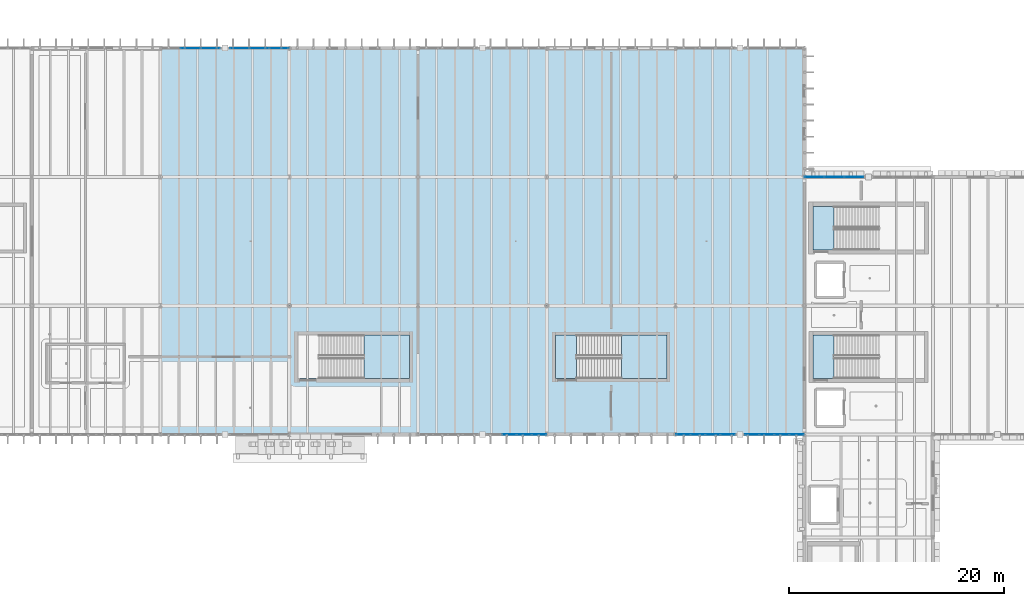
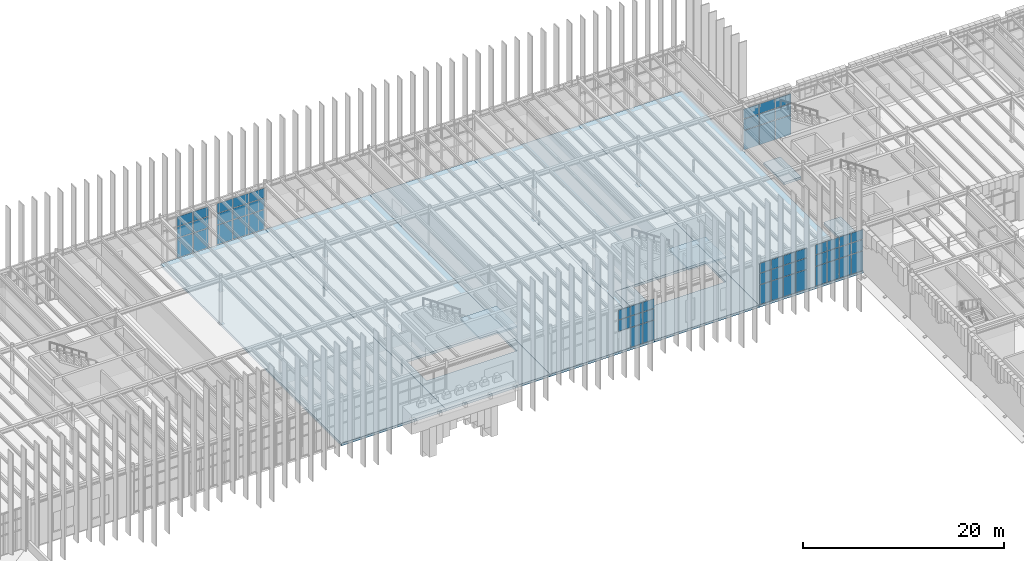
# One storey, part 40 of 83: 56 plates, 10 slabs, 8 elements without a shape of their own.
"""IFC4 building model written with IfcOpenShell, lengths in metres."""

from ifc_helpers import new_model, si_unit, direction, frame, origin, origin_2d, place, context, subcontext, project, spatial, polyline, rectangle, outline, extrude, material, layer, layer_set, type_object, element, aggregate, save


model = new_model("IFC4")

# Units and contexts
model_context = context("Model", 3, precision=1e-05, world=origin(), true_north=direction((0.0, 1.0)))
body_context = subcontext(model_context, "Body", "Model", "MODEL_VIEW")
ifc_project = project(units=[si_unit("LENGTHUNIT", "METRE"), si_unit("AREAUNIT", "SQUARE_METRE"), si_unit("VOLUMEUNIT", "CUBIC_METRE"), si_unit("PLANEANGLEUNIT", "RADIAN"), si_unit("MASSUNIT", "GRAM", prefix="KILO")], contexts=[model_context])

# Site, building, storey
site_placement = place(None, origin())
site = spatial("IfcSite", under=ifc_project, at=site_placement, CompositionType="ELEMENT")
building_placement = place(site_placement, origin())
building = spatial("IfcBuilding", under=site, at=building_placement, Name="Zlatogorsky Bluff Art Gallery", CompositionType="ELEMENT")
storey_placement = place(building_placement, frame((0.0, 0.0, 10.800048828125)))
storey = spatial("IfcBuildingStorey", under=building, at=storey_placement, Name="L02", CompositionType="ELEMENT", Elevation=10.800048828125)

# Curtain wall, plates
ifc_material_1 = material(Name="Anodised Bronze Aluminium and Low-Iron Triple Glazing", Category="aluminium")
ifc_layer_1 = layer(ifc_material_1, 0.219970703125)
ifc_layer_set_1 = layer_set([ifc_layer_1], Name="Curtain Wall CW-04")
curtain_wall_type_1 = type_object("IfcCurtainWallType", Name="Curtain Wall CW-04", PredefinedType="USERDEFINED", material=ifc_layer_set_1)
curtain_wall_1_placement = place(storey_placement, origin())
curtain_wall_1 = element("IfcCurtainWall", 1, at=curtain_wall_1_placement, inside=storey, type_object=curtain_wall_type_1, Name="Unitised curtain wall CW-04 L02 N 5.10-A", ObjectType="CURTAIN WALL", PredefinedType="USERDEFINED")
ifc_material_2 = material(Name="Low-Iron Laminated Triple Glazing", Category="glass")
ifc_layer_2 = layer(ifc_material_2, 0.035888671875)
ifc_layer_set_2 = layer_set([ifc_layer_2], Name="Glazed Curtain Panel CWP-01")
plate_type = type_object("IfcPlateType", Name="Glazed Curtain Panel CWP-01", PredefinedType="CURTAIN_PANEL", material=ifc_layer_set_2)
plate_1_placement = place(storey_placement, frame((71.0537109375, 120.0, 0.06494140625), z_axis=(0.0, 0.0, 1.0), x_axis=(-1.0, 0.0, 0.0)))
plate_1 = element("IfcPlate", 2, at=plate_1_placement, type_object=plate_type, Name="CW-04 panel 1.1", PredefinedType="CURTAIN_PANEL", context=body_context, shape_type="SweptSolid", body=[
    extrude(rectangle(XDim=1.762451171875, YDim=0.035888671875, at=origin_2d()), origin(), (0.0, 0.0, 1.0), 2.3525390625),
])
plate_2_placement = place(storey_placement, frame((71.0537109375, 120.0, 2.482421875), z_axis=(0.0, 0.0, 1.0), x_axis=(-1.0, 0.0, 0.0)))
plate_2 = element("IfcPlate", 3, at=plate_2_placement, type_object=plate_type, Name="CW-04 panel 1.2", PredefinedType="CURTAIN_PANEL", context=body_context, shape_type="SweptSolid", body=[
    extrude(rectangle(XDim=1.762451171875, YDim=0.035888671875, at=origin_2d()), origin(), (0.0, 0.0, 1.0), 1.3349609375),
])
plate_3_placement = place(storey_placement, frame((71.0537109375, 120.0, 3.88232421875), z_axis=(0.0, 0.0, 1.0), x_axis=(-1.0, 0.0, 0.0)))
plate_3 = element("IfcPlate", 4, at=plate_3_placement, type_object=plate_type, Name="CW-04 panel 1.3", PredefinedType="CURTAIN_PANEL", context=body_context, shape_type="SweptSolid", body=[
    extrude(rectangle(XDim=1.762451171875, YDim=0.035888671875, at=origin_2d()), origin(), (0.0, 0.0, 1.0), 1.16259765625),
])
plate_4_placement = place(storey_placement, frame((69.2099609375, 120.0, 0.06494140625), z_axis=(0.0, 0.0, 1.0), x_axis=(-1.0, 0.0, 0.0)))
plate_4 = element("IfcPlate", 5, at=plate_4_placement, type_object=plate_type, Name="CW-04 panel 2.1", PredefinedType="CURTAIN_PANEL", context=body_context, shape_type="SweptSolid", body=[
    extrude(rectangle(XDim=1.794921875, YDim=0.035888671875, at=origin_2d()), origin(), (0.0, 0.0, 1.0), 2.3525390625),
])
plate_5_placement = place(storey_placement, frame((69.2099609375, 120.0, 2.482421875), z_axis=(0.0, 0.0, 1.0), x_axis=(-1.0, 0.0, 0.0)))
plate_5 = element("IfcPlate", 6, at=plate_5_placement, type_object=plate_type, Name="CW-04 panel 2.2", PredefinedType="CURTAIN_PANEL", context=body_context, shape_type="SweptSolid", body=[
    extrude(rectangle(XDim=1.794921875, YDim=0.035888671875, at=origin_2d()), origin(), (0.0, 0.0, 1.0), 1.3349609375),
])
plate_6_placement = place(storey_placement, frame((69.2099609375, 120.0, 3.88232421875), z_axis=(0.0, 0.0, 1.0), x_axis=(-1.0, 0.0, 0.0)))
plate_6 = element("IfcPlate", 7, at=plate_6_placement, type_object=plate_type, Name="CW-04 panel 2.3", PredefinedType="CURTAIN_PANEL", context=body_context, shape_type="SweptSolid", body=[
    extrude(rectangle(XDim=1.794921875, YDim=0.035888671875, at=origin_2d()), origin(), (0.0, 0.0, 1.0), 1.16259765625),
])
plate_7_placement = place(storey_placement, frame((67.3662109375, 120.0, 0.06494140625), z_axis=(0.0, 0.0, 1.0), x_axis=(-1.0, 0.0, 0.0)))
plate_7 = element("IfcPlate", 8, at=plate_7_placement, type_object=plate_type, Name="CW-04 panel 3.1", PredefinedType="CURTAIN_PANEL", context=body_context, shape_type="SweptSolid", body=[
    extrude(rectangle(XDim=1.762451171875, YDim=0.035888671875, at=origin_2d()), origin(), (0.0, 0.0, 1.0), 2.3525390625),
])
plate_8_placement = place(storey_placement, frame((67.3662109375, 120.0, 2.482421875), z_axis=(0.0, 0.0, 1.0), x_axis=(-1.0, 0.0, 0.0)))
plate_8 = element("IfcPlate", 9, at=plate_8_placement, type_object=plate_type, Name="CW-04 panel 3.2", PredefinedType="CURTAIN_PANEL", context=body_context, shape_type="SweptSolid", body=[
    extrude(rectangle(XDim=1.762451171875, YDim=0.035888671875, at=origin_2d()), origin(), (0.0, 0.0, 1.0), 1.3349609375),
])
plate_9_placement = place(storey_placement, frame((67.3662109375, 120.0, 3.88232421875), z_axis=(0.0, 0.0, 1.0), x_axis=(-1.0, 0.0, 0.0)))
plate_9 = element("IfcPlate", 10, at=plate_9_placement, type_object=plate_type, Name="CW-04 panel 3.3", PredefinedType="CURTAIN_PANEL", context=body_context, shape_type="SweptSolid", body=[
    extrude(rectangle(XDim=1.762451171875, YDim=0.035888671875, at=origin_2d()), origin(), (0.0, 0.0, 1.0), 1.16259765625),
])
aggregate(curtain_wall_1, [plate_1, plate_2, plate_3, plate_4, plate_5, plate_6, plate_7, plate_8, plate_9])

curtain_wall_2_placement = place(storey_placement, origin())
curtain_wall_2 = element("IfcCurtainWall", 11, at=curtain_wall_2_placement, inside=storey, type_object=curtain_wall_type_1, Name="Unitised curtain wall CW-04 L02 N 5.10-B", ObjectType="CURTAIN WALL", PredefinedType="USERDEFINED")
plate_10_placement = place(storey_placement, frame((64.6337890625, 120.0, 0.06494140625), z_axis=(0.0, 0.0, 1.0), x_axis=(-1.0, 0.0, 0.0)))
plate_10 = element("IfcPlate", 12, at=plate_10_placement, type_object=plate_type, Name="CW-04 panel 1.1", PredefinedType="CURTAIN_PANEL", context=body_context, shape_type="SweptSolid", body=[
    extrude(rectangle(XDim=1.762451171875, YDim=0.035888671875, at=origin_2d()), origin(), (0.0, 0.0, 1.0), 2.3525390625),
])
plate_11_placement = place(storey_placement, frame((64.6337890625, 120.0, 2.482421875), z_axis=(0.0, 0.0, 1.0), x_axis=(-1.0, 0.0, 0.0)))
plate_11 = element("IfcPlate", 13, at=plate_11_placement, type_object=plate_type, Name="CW-04 panel 1.2", PredefinedType="CURTAIN_PANEL", context=body_context, shape_type="SweptSolid", body=[
    extrude(rectangle(XDim=1.762451171875, YDim=0.035888671875, at=origin_2d()), origin(), (0.0, 0.0, 1.0), 1.3349609375),
])
plate_12_placement = place(storey_placement, frame((64.6337890625, 120.0, 3.88232421875), z_axis=(0.0, 0.0, 1.0), x_axis=(-1.0, 0.0, 0.0)))
plate_12 = element("IfcPlate", 14, at=plate_12_placement, type_object=plate_type, Name="CW-04 panel 1.3", PredefinedType="CURTAIN_PANEL", context=body_context, shape_type="SweptSolid", body=[
    extrude(rectangle(XDim=1.762451171875, YDim=0.035888671875, at=origin_2d()), origin(), (0.0, 0.0, 1.0), 1.16259765625),
])
plate_13_placement = place(storey_placement, frame((62.7900390625, 120.0, 0.06494140625), z_axis=(0.0, 0.0, 1.0), x_axis=(-1.0, 0.0, 0.0)))
plate_13 = element("IfcPlate", 15, at=plate_13_placement, type_object=plate_type, Name="CW-04 panel 2.1", PredefinedType="CURTAIN_PANEL", context=body_context, shape_type="SweptSolid", body=[
    extrude(rectangle(XDim=1.794921875, YDim=0.035888671875, at=origin_2d()), origin(), (0.0, 0.0, 1.0), 2.3525390625),
])
plate_14_placement = place(storey_placement, frame((62.7900390625, 120.0, 2.482421875), z_axis=(0.0, 0.0, 1.0), x_axis=(-1.0, 0.0, 0.0)))
plate_14 = element("IfcPlate", 16, at=plate_14_placement, type_object=plate_type, Name="CW-04 panel 2.2", PredefinedType="CURTAIN_PANEL", context=body_context, shape_type="SweptSolid", body=[
    extrude(rectangle(XDim=1.794921875, YDim=0.035888671875, at=origin_2d()), origin(), (0.0, 0.0, 1.0), 1.3349609375),
])
plate_15_placement = place(storey_placement, frame((62.7900390625, 120.0, 3.88232421875), z_axis=(0.0, 0.0, 1.0), x_axis=(-1.0, 0.0, 0.0)))
plate_15 = element("IfcPlate", 17, at=plate_15_placement, type_object=plate_type, Name="CW-04 panel 2.3", PredefinedType="CURTAIN_PANEL", context=body_context, shape_type="SweptSolid", body=[
    extrude(rectangle(XDim=1.794921875, YDim=0.035888671875, at=origin_2d()), origin(), (0.0, 0.0, 1.0), 1.16259765625),
])
aggregate(curtain_wall_2, [plate_10, plate_11, plate_12, plate_13, plate_14, plate_15])

ifc_layer_3 = layer(ifc_material_1, 0.199951171875)
ifc_layer_set_3 = layer_set([ifc_layer_3], Name="Curtain Wall CW-02")
curtain_wall_type_2 = type_object("IfcCurtainWallType", Name="Curtain Wall CW-02", PredefinedType="USERDEFINED", material=ifc_layer_set_3)
curtain_wall_3_placement = place(storey_placement, origin())
curtain_wall_3 = element("IfcCurtainWall", 18, at=curtain_wall_3_placement, inside=storey, type_object=curtain_wall_type_2, Name="Unitised curtain wall CW-02 L02 S 7.8-B", ObjectType="CURTAIN WALL", PredefinedType="USERDEFINED")
plate_16_placement = place(storey_placement, frame((92.512451171875, 84.0, 2.482421875), z_axis=(0.0, 0.0, 1.0), x_axis=(1.0, 0.0, 0.0)))
plate_16 = element("IfcPlate", 19, at=plate_16_placement, type_object=plate_type, Name="CW-02 panel 2.2", PredefinedType="CURTAIN_PANEL", context=body_context, shape_type="SweptSolid", body=[
    extrude(rectangle(XDim=1.330078125, YDim=0.035888671875, at=origin_2d()), origin(), (0.0, 0.0, 1.0), 1.3349609375),
])
plate_17_placement = place(storey_placement, frame((92.512451171875, 84.0, 3.88232421875), z_axis=(0.0, 0.0, 1.0), x_axis=(1.0, 0.0, 0.0)))
plate_17 = element("IfcPlate", 20, at=plate_17_placement, type_object=plate_type, Name="CW-02 panel 2.3", PredefinedType="CURTAIN_PANEL", context=body_context, shape_type="SweptSolid", body=[
    extrude(rectangle(XDim=1.330078125, YDim=0.035888671875, at=origin_2d()), origin(), (0.0, 0.0, 1.0), 1.16259765625),
])
plate_18_placement = place(storey_placement, frame((93.907470703125, 84.0, 0.06494140625), z_axis=(0.0, 0.0, 1.0), x_axis=(1.0, 0.0, 0.0)))
plate_18 = element("IfcPlate", 21, at=plate_18_placement, type_object=plate_type, Name="CW-02 panel 3.1", PredefinedType="CURTAIN_PANEL", context=body_context, shape_type="SweptSolid", body=[
    extrude(rectangle(XDim=1.330078125, YDim=0.035888671875, at=origin_2d()), origin(), (0.0, 0.0, 1.0), 2.3525390625),
])
plate_19_placement = place(storey_placement, frame((93.907470703125, 84.0, 2.482421875), z_axis=(0.0, 0.0, 1.0), x_axis=(1.0, 0.0, 0.0)))
plate_19 = element("IfcPlate", 22, at=plate_19_placement, type_object=plate_type, Name="CW-02 panel 3.2", PredefinedType="CURTAIN_PANEL", context=body_context, shape_type="SweptSolid", body=[
    extrude(rectangle(XDim=1.330078125, YDim=0.035888671875, at=origin_2d()), origin(), (0.0, 0.0, 1.0), 1.3349609375),
])
plate_20_placement = place(storey_placement, frame((93.907470703125, 84.0, 3.88232421875), z_axis=(0.0, 0.0, 1.0), x_axis=(1.0, 0.0, 0.0)))
plate_20 = element("IfcPlate", 23, at=plate_20_placement, type_object=plate_type, Name="CW-02 panel 3.3", PredefinedType="CURTAIN_PANEL", context=body_context, shape_type="SweptSolid", body=[
    extrude(rectangle(XDim=1.330078125, YDim=0.035888671875, at=origin_2d()), origin(), (0.0, 0.0, 1.0), 1.16259765625),
])
plate_21_placement = place(storey_placement, frame((95.2861328125, 84.0, 0.06494140625), z_axis=(0.0, 0.0, 1.0), x_axis=(1.0, 0.0, 0.0)))
plate_21 = element("IfcPlate", 24, at=plate_21_placement, type_object=plate_type, Name="CW-02 panel 4.1", PredefinedType="CURTAIN_PANEL", context=body_context, shape_type="SweptSolid", body=[
    extrude(rectangle(XDim=1.297607421875, YDim=0.035888671875, at=origin_2d()), origin(), (0.0, 0.0, 1.0), 2.3525390625),
])
plate_22_placement = place(storey_placement, frame((95.2861328125, 84.0, 2.482421875), z_axis=(0.0, 0.0, 1.0), x_axis=(1.0, 0.0, 0.0)))
plate_22 = element("IfcPlate", 25, at=plate_22_placement, type_object=plate_type, Name="CW-02 panel 4.2", PredefinedType="CURTAIN_PANEL", context=body_context, shape_type="SweptSolid", body=[
    extrude(rectangle(XDim=1.297607421875, YDim=0.035888671875, at=origin_2d()), origin(), (0.0, 0.0, 1.0), 1.3349609375),
])
plate_23_placement = place(storey_placement, frame((95.2861328125, 84.0, 3.88232421875), z_axis=(0.0, 0.0, 1.0), x_axis=(1.0, 0.0, 0.0)))
plate_23 = element("IfcPlate", 26, at=plate_23_placement, type_object=plate_type, Name="CW-02 panel 4.3", PredefinedType="CURTAIN_PANEL", context=body_context, shape_type="SweptSolid", body=[
    extrude(rectangle(XDim=1.297607421875, YDim=0.035888671875, at=origin_2d()), origin(), (0.0, 0.0, 1.0), 1.16259765625),
])
aggregate(curtain_wall_3, [plate_16, plate_17, plate_18, plate_19, plate_20, plate_21, plate_22, plate_23])

curtain_wall_4_placement = place(storey_placement, origin())
curtain_wall_4 = element("IfcCurtainWall", 27, at=curtain_wall_4_placement, inside=storey, type_object=curtain_wall_type_2, Name="Unitised curtain wall CW-02 L02 S 9.8-A", ObjectType="CURTAIN WALL", PredefinedType="USERDEFINED")
plate_24_placement = place(storey_placement, frame((108.7138671875, 84.0, 0.06494140625), z_axis=(0.0, 0.0, 1.0), x_axis=(1.0, 0.0, 0.0)))
plate_24 = element("IfcPlate", 28, at=plate_24_placement, type_object=plate_type, Name="CW-02 panel 1.1", PredefinedType="CURTAIN_PANEL", context=body_context, shape_type="SweptSolid", body=[
    extrude(rectangle(XDim=1.297607421875, YDim=0.035888671875, at=origin_2d()), origin(), (0.0, 0.0, 1.0), 2.3525390625),
])
plate_25_placement = place(storey_placement, frame((108.7138671875, 84.0, 2.482421875), z_axis=(0.0, 0.0, 1.0), x_axis=(1.0, 0.0, 0.0)))
plate_25 = element("IfcPlate", 29, at=plate_25_placement, type_object=plate_type, Name="CW-02 panel 1.2", PredefinedType="CURTAIN_PANEL", context=body_context, shape_type="SweptSolid", body=[
    extrude(rectangle(XDim=1.297607421875, YDim=0.035888671875, at=origin_2d()), origin(), (0.0, 0.0, 1.0), 1.3349609375),
])
plate_26_placement = place(storey_placement, frame((108.7138671875, 84.0, 3.88232421875), z_axis=(0.0, 0.0, 1.0), x_axis=(1.0, 0.0, 0.0)))
plate_26 = element("IfcPlate", 30, at=plate_26_placement, type_object=plate_type, Name="CW-02 panel 1.3", PredefinedType="CURTAIN_PANEL", context=body_context, shape_type="SweptSolid", body=[
    extrude(rectangle(XDim=1.297607421875, YDim=0.035888671875, at=origin_2d()), origin(), (0.0, 0.0, 1.0), 1.16259765625),
])
plate_27_placement = place(storey_placement, frame((110.092529296875, 84.0, 0.06494140625), z_axis=(0.0, 0.0, 1.0), x_axis=(1.0, 0.0, 0.0)))
plate_27 = element("IfcPlate", 31, at=plate_27_placement, type_object=plate_type, Name="CW-02 panel 2.1", PredefinedType="CURTAIN_PANEL", context=body_context, shape_type="SweptSolid", body=[
    extrude(rectangle(XDim=1.330078125, YDim=0.035888671875, at=origin_2d()), origin(), (0.0, 0.0, 1.0), 2.3525390625),
])
plate_28_placement = place(storey_placement, frame((110.092529296875, 84.0, 2.482421875), z_axis=(0.0, 0.0, 1.0), x_axis=(1.0, 0.0, 0.0)))
plate_28 = element("IfcPlate", 32, at=plate_28_placement, type_object=plate_type, Name="CW-02 panel 2.2", PredefinedType="CURTAIN_PANEL", context=body_context, shape_type="SweptSolid", body=[
    extrude(rectangle(XDim=1.330078125, YDim=0.035888671875, at=origin_2d()), origin(), (0.0, 0.0, 1.0), 1.3349609375),
])
plate_29_placement = place(storey_placement, frame((110.092529296875, 84.0, 3.88232421875), z_axis=(0.0, 0.0, 1.0), x_axis=(1.0, 0.0, 0.0)))
plate_29 = element("IfcPlate", 33, at=plate_29_placement, type_object=plate_type, Name="CW-02 panel 2.3", PredefinedType="CURTAIN_PANEL", context=body_context, shape_type="SweptSolid", body=[
    extrude(rectangle(XDim=1.330078125, YDim=0.035888671875, at=origin_2d()), origin(), (0.0, 0.0, 1.0), 1.16259765625),
])
plate_30_placement = place(storey_placement, frame((111.487548828125, 84.0, 0.06494140625), z_axis=(0.0, 0.0, 1.0), x_axis=(1.0, 0.0, 0.0)))
plate_30 = element("IfcPlate", 34, at=plate_30_placement, type_object=plate_type, Name="CW-02 panel 3.1", PredefinedType="CURTAIN_PANEL", context=body_context, shape_type="SweptSolid", body=[
    extrude(rectangle(XDim=1.330078125, YDim=0.035888671875, at=origin_2d()), origin(), (0.0, 0.0, 1.0), 2.3525390625),
])
plate_31_placement = place(storey_placement, frame((111.487548828125, 84.0, 2.482421875), z_axis=(0.0, 0.0, 1.0), x_axis=(1.0, 0.0, 0.0)))
plate_31 = element("IfcPlate", 35, at=plate_31_placement, type_object=plate_type, Name="CW-02 panel 3.2", PredefinedType="CURTAIN_PANEL", context=body_context, shape_type="SweptSolid", body=[
    extrude(rectangle(XDim=1.330078125, YDim=0.035888671875, at=origin_2d()), origin(), (0.0, 0.0, 1.0), 1.3349609375),
])
plate_32_placement = place(storey_placement, frame((111.487548828125, 84.0, 3.88232421875), z_axis=(0.0, 0.0, 1.0), x_axis=(1.0, 0.0, 0.0)))
plate_32 = element("IfcPlate", 36, at=plate_32_placement, type_object=plate_type, Name="CW-02 panel 3.3", PredefinedType="CURTAIN_PANEL", context=body_context, shape_type="SweptSolid", body=[
    extrude(rectangle(XDim=1.330078125, YDim=0.035888671875, at=origin_2d()), origin(), (0.0, 0.0, 1.0), 1.16259765625),
])
plate_33_placement = place(storey_placement, frame((112.8662109375, 84.0, 0.06494140625), z_axis=(0.0, 0.0, 1.0), x_axis=(1.0, 0.0, 0.0)))
plate_33 = element("IfcPlate", 37, at=plate_33_placement, type_object=plate_type, Name="CW-02 panel 4.1", PredefinedType="CURTAIN_PANEL", context=body_context, shape_type="SweptSolid", body=[
    extrude(rectangle(XDim=1.297607421875, YDim=0.035888671875, at=origin_2d()), origin(), (0.0, 0.0, 1.0), 2.3525390625),
])
plate_34_placement = place(storey_placement, frame((112.8662109375, 84.0, 2.482421875), z_axis=(0.0, 0.0, 1.0), x_axis=(1.0, 0.0, 0.0)))
plate_34 = element("IfcPlate", 38, at=plate_34_placement, type_object=plate_type, Name="CW-02 panel 4.2", PredefinedType="CURTAIN_PANEL", context=body_context, shape_type="SweptSolid", body=[
    extrude(rectangle(XDim=1.297607421875, YDim=0.035888671875, at=origin_2d()), origin(), (0.0, 0.0, 1.0), 1.3349609375),
])
plate_35_placement = place(storey_placement, frame((112.8662109375, 84.0, 3.88232421875), z_axis=(0.0, 0.0, 1.0), x_axis=(1.0, 0.0, 0.0)))
plate_35 = element("IfcPlate", 39, at=plate_35_placement, type_object=plate_type, Name="CW-02 panel 4.3", PredefinedType="CURTAIN_PANEL", context=body_context, shape_type="SweptSolid", body=[
    extrude(rectangle(XDim=1.297607421875, YDim=0.035888671875, at=origin_2d()), origin(), (0.0, 0.0, 1.0), 1.16259765625),
])
aggregate(curtain_wall_4, [plate_24, plate_25, plate_26, plate_27, plate_28, plate_29, plate_30, plate_31, plate_32, plate_33, plate_34, plate_35])

curtain_wall_5_placement = place(storey_placement, origin())
curtain_wall_5 = element("IfcCurtainWall", 40, at=curtain_wall_5_placement, inside=storey, type_object=curtain_wall_type_2, Name="Unitised curtain wall CW-02 L02 S 9.8-B", ObjectType="CURTAIN WALL", PredefinedType="USERDEFINED")
plate_36_placement = place(storey_placement, frame((115.1337890625, 84.0, 0.06494140625), z_axis=(0.0, 0.0, 1.0), x_axis=(1.0, 0.0, 0.0)))
plate_36 = element("IfcPlate", 41, at=plate_36_placement, type_object=plate_type, Name="CW-02 panel 1.1", PredefinedType="CURTAIN_PANEL", context=body_context, shape_type="SweptSolid", body=[
    extrude(rectangle(XDim=1.297607421875, YDim=0.035888671875, at=origin_2d()), origin(), (0.0, 0.0, 1.0), 2.3525390625),
])
plate_37_placement = place(storey_placement, frame((115.1337890625, 84.0, 2.482421875), z_axis=(0.0, 0.0, 1.0), x_axis=(1.0, 0.0, 0.0)))
plate_37 = element("IfcPlate", 42, at=plate_37_placement, type_object=plate_type, Name="CW-02 panel 1.2", PredefinedType="CURTAIN_PANEL", context=body_context, shape_type="SweptSolid", body=[
    extrude(rectangle(XDim=1.297607421875, YDim=0.035888671875, at=origin_2d()), origin(), (0.0, 0.0, 1.0), 1.3349609375),
])
plate_38_placement = place(storey_placement, frame((115.1337890625, 84.0, 3.88232421875), z_axis=(0.0, 0.0, 1.0), x_axis=(1.0, 0.0, 0.0)))
plate_38 = element("IfcPlate", 43, at=plate_38_placement, type_object=plate_type, Name="CW-02 panel 1.3", PredefinedType="CURTAIN_PANEL", context=body_context, shape_type="SweptSolid", body=[
    extrude(rectangle(XDim=1.297607421875, YDim=0.035888671875, at=origin_2d()), origin(), (0.0, 0.0, 1.0), 1.16259765625),
])
plate_39_placement = place(storey_placement, frame((116.512451171875, 84.0, 0.06494140625), z_axis=(0.0, 0.0, 1.0), x_axis=(1.0, 0.0, 0.0)))
plate_39 = element("IfcPlate", 44, at=plate_39_placement, type_object=plate_type, Name="CW-02 panel 2.1", PredefinedType="CURTAIN_PANEL", context=body_context, shape_type="SweptSolid", body=[
    extrude(rectangle(XDim=1.330078125, YDim=0.035888671875, at=origin_2d()), origin(), (0.0, 0.0, 1.0), 2.3525390625),
])
plate_40_placement = place(storey_placement, frame((116.512451171875, 84.0, 2.482421875), z_axis=(0.0, 0.0, 1.0), x_axis=(1.0, 0.0, 0.0)))
plate_40 = element("IfcPlate", 45, at=plate_40_placement, type_object=plate_type, Name="CW-02 panel 2.2", PredefinedType="CURTAIN_PANEL", context=body_context, shape_type="SweptSolid", body=[
    extrude(rectangle(XDim=1.330078125, YDim=0.035888671875, at=origin_2d()), origin(), (0.0, 0.0, 1.0), 1.3349609375),
])
plate_41_placement = place(storey_placement, frame((116.512451171875, 84.0, 3.88232421875), z_axis=(0.0, 0.0, 1.0), x_axis=(1.0, 0.0, 0.0)))
plate_41 = element("IfcPlate", 46, at=plate_41_placement, type_object=plate_type, Name="CW-02 panel 2.3", PredefinedType="CURTAIN_PANEL", context=body_context, shape_type="SweptSolid", body=[
    extrude(rectangle(XDim=1.330078125, YDim=0.035888671875, at=origin_2d()), origin(), (0.0, 0.0, 1.0), 1.16259765625),
])
plate_42_placement = place(storey_placement, frame((117.907470703125, 84.0, 0.06494140625), z_axis=(0.0, 0.0, 1.0), x_axis=(1.0, 0.0, 0.0)))
plate_42 = element("IfcPlate", 47, at=plate_42_placement, type_object=plate_type, Name="CW-02 panel 3.1", PredefinedType="CURTAIN_PANEL", context=body_context, shape_type="SweptSolid", body=[
    extrude(rectangle(XDim=1.330078125, YDim=0.035888671875, at=origin_2d()), origin(), (0.0, 0.0, 1.0), 2.3525390625),
])
plate_43_placement = place(storey_placement, frame((117.907470703125, 84.0, 2.482421875), z_axis=(0.0, 0.0, 1.0), x_axis=(1.0, 0.0, 0.0)))
plate_43 = element("IfcPlate", 48, at=plate_43_placement, type_object=plate_type, Name="CW-02 panel 3.2", PredefinedType="CURTAIN_PANEL", context=body_context, shape_type="SweptSolid", body=[
    extrude(rectangle(XDim=1.330078125, YDim=0.035888671875, at=origin_2d()), origin(), (0.0, 0.0, 1.0), 1.3349609375),
])
plate_44_placement = place(storey_placement, frame((117.907470703125, 84.0, 3.88232421875), z_axis=(0.0, 0.0, 1.0), x_axis=(1.0, 0.0, 0.0)))
plate_44 = element("IfcPlate", 49, at=plate_44_placement, type_object=plate_type, Name="CW-02 panel 3.3", PredefinedType="CURTAIN_PANEL", context=body_context, shape_type="SweptSolid", body=[
    extrude(rectangle(XDim=1.330078125, YDim=0.035888671875, at=origin_2d()), origin(), (0.0, 0.0, 1.0), 1.16259765625),
])
plate_45_placement = place(storey_placement, frame((119.2861328125, 84.0, 0.06494140625), z_axis=(0.0, 0.0, 1.0), x_axis=(1.0, 0.0, 0.0)))
plate_45 = element("IfcPlate", 50, at=plate_45_placement, type_object=plate_type, Name="CW-02 panel 4.1", PredefinedType="CURTAIN_PANEL", context=body_context, shape_type="SweptSolid", body=[
    extrude(rectangle(XDim=1.297607421875, YDim=0.035888671875, at=origin_2d()), origin(), (0.0, 0.0, 1.0), 2.3525390625),
])
plate_46_placement = place(storey_placement, frame((119.2861328125, 84.0, 2.482421875), z_axis=(0.0, 0.0, 1.0), x_axis=(1.0, 0.0, 0.0)))
plate_46 = element("IfcPlate", 51, at=plate_46_placement, type_object=plate_type, Name="CW-02 panel 4.2", PredefinedType="CURTAIN_PANEL", context=body_context, shape_type="SweptSolid", body=[
    extrude(rectangle(XDim=1.297607421875, YDim=0.035888671875, at=origin_2d()), origin(), (0.0, 0.0, 1.0), 1.3349609375),
])
plate_47_placement = place(storey_placement, frame((119.2861328125, 84.0, 3.88232421875), z_axis=(0.0, 0.0, 1.0), x_axis=(1.0, 0.0, 0.0)))
plate_47 = element("IfcPlate", 52, at=plate_47_placement, type_object=plate_type, Name="CW-02 panel 4.3", PredefinedType="CURTAIN_PANEL", context=body_context, shape_type="SweptSolid", body=[
    extrude(rectangle(XDim=1.297607421875, YDim=0.035888671875, at=origin_2d()), origin(), (0.0, 0.0, 1.0), 1.16259765625),
])
aggregate(curtain_wall_5, [plate_36, plate_37, plate_38, plate_39, plate_40, plate_41, plate_42, plate_43, plate_44, plate_45, plate_46, plate_47])

curtain_wall_6_placement = place(storey_placement, origin())
curtain_wall_6 = element("IfcCurtainWall", 53, at=curtain_wall_6_placement, inside=storey, type_object=curtain_wall_type_1, Name="Unitised curtain wall CW-04 L02 N 10.9-B", ObjectType="CURTAIN WALL", PredefinedType="USERDEFINED")
plate_48_placement = place(storey_placement, frame((124.6337890625, 108.0, 0.06494140625), z_axis=(0.0, 0.0, 1.0), x_axis=(-1.0, 0.0, 0.0)))
plate_48 = element("IfcPlate", 54, at=plate_48_placement, type_object=plate_type, Name="CW-04 panel 1.1", PredefinedType="CURTAIN_PANEL", context=body_context, shape_type="SweptSolid", body=[
    extrude(rectangle(XDim=1.762451171875, YDim=0.035888671875, at=origin_2d()), origin(), (0.0, 0.0, 1.0), 2.3525390625),
])
plate_49_placement = place(storey_placement, frame((124.6337890625, 108.0, 2.482421875), z_axis=(0.0, 0.0, 1.0), x_axis=(-1.0, 0.0, 0.0)))
plate_49 = element("IfcPlate", 55, at=plate_49_placement, type_object=plate_type, Name="CW-04 panel 1.2", PredefinedType="CURTAIN_PANEL", context=body_context, shape_type="SweptSolid", body=[
    extrude(rectangle(XDim=1.762451171875, YDim=0.035888671875, at=origin_2d()), origin(), (0.0, 0.0, 1.0), 1.3349609375),
])
plate_50_placement = place(storey_placement, frame((124.6337890625, 108.0, 3.88232421875), z_axis=(0.0, 0.0, 1.0), x_axis=(-1.0, 0.0, 0.0)))
plate_50 = element("IfcPlate", 56, at=plate_50_placement, type_object=plate_type, Name="CW-04 panel 1.3", PredefinedType="CURTAIN_PANEL", context=body_context, shape_type="SweptSolid", body=[
    extrude(rectangle(XDim=1.762451171875, YDim=0.035888671875, at=origin_2d()), origin(), (0.0, 0.0, 1.0), 1.16259765625),
])
plate_51_placement = place(storey_placement, frame((122.7900390625, 108.0, 0.06494140625), z_axis=(0.0, 0.0, 1.0), x_axis=(-1.0, 0.0, 0.0)))
plate_51 = element("IfcPlate", 57, at=plate_51_placement, type_object=plate_type, Name="CW-04 panel 2.1", PredefinedType="CURTAIN_PANEL", context=body_context, shape_type="SweptSolid", body=[
    extrude(rectangle(XDim=1.794921875, YDim=0.035888671875, at=origin_2d()), origin(), (0.0, 0.0, 1.0), 2.3525390625),
])
plate_52_placement = place(storey_placement, frame((122.7900390625, 108.0, 2.482421875), z_axis=(0.0, 0.0, 1.0), x_axis=(-1.0, 0.0, 0.0)))
plate_52 = element("IfcPlate", 58, at=plate_52_placement, type_object=plate_type, Name="CW-04 panel 2.2", PredefinedType="CURTAIN_PANEL", context=body_context, shape_type="SweptSolid", body=[
    extrude(rectangle(XDim=1.794921875, YDim=0.035888671875, at=origin_2d()), origin(), (0.0, 0.0, 1.0), 1.3349609375),
])
plate_53_placement = place(storey_placement, frame((122.7900390625, 108.0, 3.88232421875), z_axis=(0.0, 0.0, 1.0), x_axis=(-1.0, 0.0, 0.0)))
plate_53 = element("IfcPlate", 59, at=plate_53_placement, type_object=plate_type, Name="CW-04 panel 2.3", PredefinedType="CURTAIN_PANEL", context=body_context, shape_type="SweptSolid", body=[
    extrude(rectangle(XDim=1.794921875, YDim=0.035888671875, at=origin_2d()), origin(), (0.0, 0.0, 1.0), 1.16259765625),
])
plate_54_placement = place(storey_placement, frame((120.9462890625, 108.0, 0.06494140625), z_axis=(0.0, 0.0, 1.0), x_axis=(-1.0, 0.0, 0.0)))
plate_54 = element("IfcPlate", 60, at=plate_54_placement, type_object=plate_type, Name="CW-04 panel 3.1", PredefinedType="CURTAIN_PANEL", context=body_context, shape_type="SweptSolid", body=[
    extrude(rectangle(XDim=1.762451171875, YDim=0.035888671875, at=origin_2d()), origin(), (0.0, 0.0, 1.0), 2.3525390625),
])
plate_55_placement = place(storey_placement, frame((120.9462890625, 108.0, 2.482421875), z_axis=(0.0, 0.0, 1.0), x_axis=(-1.0, 0.0, 0.0)))
plate_55 = element("IfcPlate", 61, at=plate_55_placement, type_object=plate_type, Name="CW-04 panel 3.2", PredefinedType="CURTAIN_PANEL", context=body_context, shape_type="SweptSolid", body=[
    extrude(rectangle(XDim=1.762451171875, YDim=0.035888671875, at=origin_2d()), origin(), (0.0, 0.0, 1.0), 1.3349609375),
])
plate_56_placement = place(storey_placement, frame((120.9462890625, 108.0, 3.88232421875), z_axis=(0.0, 0.0, 1.0), x_axis=(-1.0, 0.0, 0.0)))
plate_56 = element("IfcPlate", 62, at=plate_56_placement, type_object=plate_type, Name="CW-04 panel 3.3", PredefinedType="CURTAIN_PANEL", context=body_context, shape_type="SweptSolid", body=[
    extrude(rectangle(XDim=1.762451171875, YDim=0.035888671875, at=origin_2d()), origin(), (0.0, 0.0, 1.0), 1.16259765625),
])
aggregate(curtain_wall_6, [plate_48, plate_49, plate_50, plate_51, plate_52, plate_53, plate_54, plate_55, plate_56])

# Slabs
ifc_material_3 = material(Name="Concrete C30/37", Category="concrete")
ifc_layer_4 = layer(ifc_material_3, 0.2900390625)
ifc_layer_set_4 = layer_set([ifc_layer_4], Name="Slab SL-02 290mm")
slab_type_1 = type_object("IfcSlabType", Name="Slab SL-02 290mm", PredefinedType="FLOOR", material=ifc_layer_set_4)
slab_1_placement = place(storey_placement, frame((0.0, 0.0, -0.2900390625)))
element("IfcSlab", 63, at=slab_1_placement, inside=storey, type_object=slab_type_1, Name="L02 structural floor slab panel 06", PredefinedType="FLOOR", context=body_context, shape_type="SweptSolid", body=[
    extrude(outline(polyline([(60.0, 84.0), (60.0, 96.0), (60.0, 108.0), (60.0, 120.0), (72.0, 120.0), (72.0, 108.0), (72.0, 96.0), (72.0, 84.0), (60.0, 84.0)])), origin(), (0.0, 0.0, 1.0), 0.2900390625),
])
slab_2_placement = place(storey_placement, frame((0.0, 0.0, -0.2900390625)))
element("IfcSlab", 64, at=slab_2_placement, inside=storey, type_object=slab_type_1, Name="L02 structural floor slab panel 07", PredefinedType="FLOOR", context=body_context, shape_type="SweptSolid", body=[
    extrude(outline(polyline([(72.0, 84.0), (72.0, 96.0), (72.0, 108.0), (72.0, 120.0), (84.0, 120.0), (84.0, 108.0), (84.0, 96.0), (84.0, 84.0), (72.0, 84.0)]), holes=[polyline([(83.199951171875, 89.199951171875), (83.199951171875, 93.25), (72.800048828125, 93.25), (72.800048828125, 89.199951171875), (83.199951171875, 89.199951171875)])]), origin(), (0.0, 0.0, 1.0), 0.2900390625),
])
slab_3_placement = place(storey_placement, frame((0.0, 0.0, -0.2900390625)))
element("IfcSlab", 65, at=slab_3_placement, inside=storey, type_object=slab_type_1, Name="L02 structural floor slab panel 08", PredefinedType="FLOOR", context=body_context, shape_type="SweptSolid", body=[
    extrude(outline(polyline([(84.0, 84.0), (84.0, 96.0), (84.0, 108.0), (84.0, 120.0), (96.0, 120.0), (96.0, 108.0), (96.0, 96.0), (96.0, 84.0), (84.0, 84.0)])), origin(), (0.0, 0.0, 1.0), 0.2900390625),
])
slab_4_placement = place(storey_placement, frame((0.0, 0.0, -0.2900390625)))
element("IfcSlab", 66, at=slab_4_placement, inside=storey, type_object=slab_type_1, Name="L02 structural floor slab panel 09", PredefinedType="FLOOR", context=body_context, shape_type="SweptSolid", body=[
    extrude(outline(polyline([(96.0, 84.0), (96.0, 96.0), (96.0, 108.0), (96.0, 120.0), (108.0, 120.0), (108.0, 108.0), (108.0, 96.0), (108.0, 84.0), (96.0, 84.0)]), holes=[polyline([(107.199951171875, 93.25), (96.800048828125, 93.25), (96.800048828125, 89.199951171875), (107.199951171875, 89.199951171875), (107.199951171875, 93.25)])]), origin(), (0.0, 0.0, 1.0), 0.2900390625),
])
slab_5_placement = place(storey_placement, frame((0.0, 0.0, -0.2900390625)))
element("IfcSlab", 67, at=slab_5_placement, inside=storey, type_object=slab_type_1, Name="L02 structural floor slab panel 10", PredefinedType="FLOOR", context=body_context, shape_type="SweptSolid", body=[
    extrude(outline(polyline([(108.0, 84.0), (108.0, 96.0), (108.0, 108.0), (108.0, 120.0), (120.0, 120.0), (120.0, 108.0), (120.0, 96.0), (120.0, 84.0), (108.0, 84.0)])), origin(), (0.0, 0.0, 1.0), 0.2900390625),
])
slab_6_placement = place(storey_placement, frame((0.0, 0.0, -0.2900390625)))
element("IfcSlab", 68, at=slab_6_placement, inside=storey, type_object=slab_type_1, Name="L02 stair ST-01 structural floor landing slab", PredefinedType="FLOOR", context=body_context, shape_type="SweptSolid", body=[
    extrude(outline(polyline([(96.800048828125, 89.199951171875), (98.75, 89.199951171875), (98.75, 93.25), (96.800048828125, 93.25), (96.800048828125, 89.199951171875)])), origin(), (0.0, 0.0, 1.0), 0.2900390625),
])
slab_7_placement = place(storey_placement, frame((0.0, 0.0, -0.2900390625)))
element("IfcSlab", 69, at=slab_7_placement, inside=storey, type_object=slab_type_1, Name="L02 stair ST-02 structural floor landing slab", PredefinedType="FLOOR", context=body_context, shape_type="SweptSolid", body=[
    extrude(outline(polyline([(120.800048828125, 89.199951171875), (122.75, 89.199951171875), (122.75, 93.25), (120.800048828125, 93.25), (120.800048828125, 89.199951171875)])), origin(), (0.0, 0.0, 1.0), 0.2900390625),
])
slab_8_placement = place(storey_placement, frame((0.0, 0.0, -0.2900390625)))
element("IfcSlab", 70, at=slab_8_placement, inside=storey, type_object=slab_type_1, Name="L02 stair ST-03 structural floor landing slab", PredefinedType="FLOOR", context=body_context, shape_type="SweptSolid", body=[
    extrude(outline(polyline([(120.800048828125, 101.199951171875), (122.75, 101.199951171875), (122.75, 105.25), (120.800048828125, 105.25), (120.800048828125, 101.199951171875)])), origin(), (0.0, 0.0, 1.0), 0.2900390625),
])

# Stair, slab
stair_type = type_object("IfcStairType", Name="Protected Dogleg Stair ST-T6", PredefinedType="HALF_TURN_STAIR", material=ifc_material_3)
stair_1_placement = place(storey_placement, origin())
stair_1 = element("IfcStair", 71, at=stair_1_placement, inside=storey, type_object=stair_type, Name="L02 Protected Exit Stair ST-01", PredefinedType="HALF_TURN_STAIR")
ifc_layer_5 = layer(ifc_material_3, 0.199951171875)
ifc_layer_set_5 = layer_set([ifc_layer_5], Name="Stair Half-Landing 200mm")
slab_type_2 = type_object("IfcSlabType", Name="Stair Half-Landing 200mm", PredefinedType="LANDING", material=ifc_layer_set_5)
slab_9_placement = place(storey_placement, frame((0.0, 0.0, 2.800048828125)))
slab_9 = element("IfcSlab", 72, at=slab_9_placement, type_object=slab_type_2, Name="ST-01 landing 1", PredefinedType="LANDING", context=body_context, shape_type="SweptSolid", body=[
    extrude(outline(polyline([(102.949951171875, 89.199951171875), (107.199951171875, 89.199951171875), (107.199951171875, 93.25), (102.949951171875, 93.25), (102.949951171875, 89.199951171875)])), origin(), (0.0, 0.0, 1.0), 0.199951171875),
])
aggregate(stair_1, [slab_9])

stair_2_placement = place(storey_placement, origin())
stair_2 = element("IfcStair", 73, at=stair_2_placement, inside=storey, type_object=stair_type, Name="L02 Protected Exit Stair ST-08", PredefinedType="HALF_TURN_STAIR")
slab_10_placement = place(storey_placement, frame((0.0, 0.0, 2.800048828125)))
slab_10 = element("IfcSlab", 74, at=slab_10_placement, type_object=slab_type_2, Name="ST-08 landing 1", PredefinedType="LANDING", context=body_context, shape_type="SweptSolid", body=[
    extrude(outline(polyline([(78.949951171875, 89.199951171875), (83.199951171875, 89.199951171875), (83.199951171875, 93.25), (78.949951171875, 93.25), (78.949951171875, 89.199951171875)])), origin(), (0.0, 0.0, 1.0), 0.199951171875),
])
aggregate(stair_2, [slab_10])

save(model, "model.ifc")
